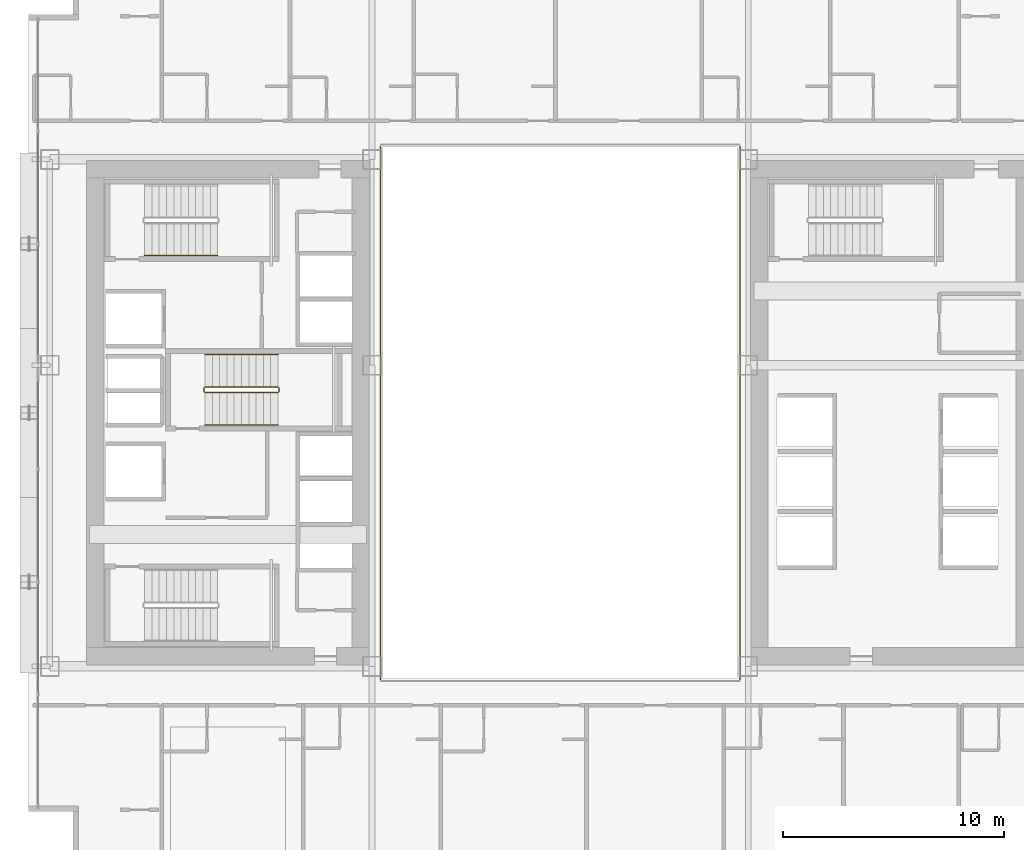
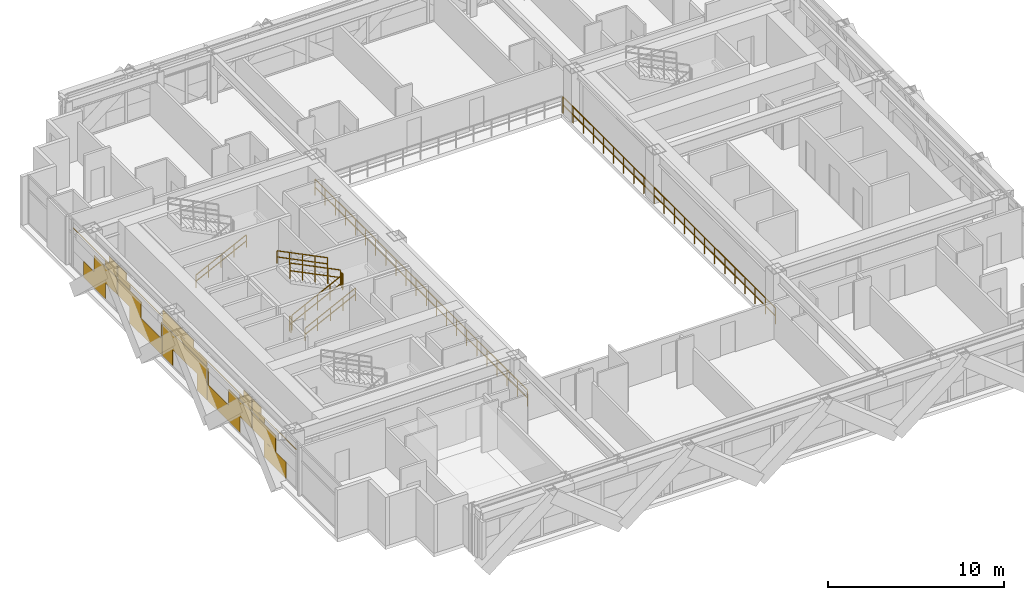
# One storey, part 33 of 35: 9 railings, 1 covering.
"""IFC4 building model written with IfcOpenShell, lengths in metres."""

import ifcopenshell
import ifcopenshell.guid

model = None  # the IFC model being written
_history = None  # IfcOwnerHistory: only IFC2X3 demands one
_inside = {}  # id of a spatial element -> (the spatial element, [elements in it])
_under = {}  # id of a project, library or spatial element -> (it, [spatial elements below it])
_declared = {}  # id of a project -> (the project, [libraries it declares])
_typed = {}  # id of a type object -> (the type object, [elements of that type])
_made_of = {}  # id of a material, layer set ... -> (it, [elements and type objects made of it])


def new_model(schema):
    """Start an empty IFC model of exactly this schema.

    Asked for "IFC4X3", IfcOpenShell would pick the latest addendum, in which some entities
    have other attributes; the version numbers below select the first issue.
    IFC2X3 requires an IfcOwnerHistory on every rooted entity: one is made here for all.
    """
    global model, _history
    if schema == "IFC4X3":
        model = ifcopenshell.file(schema_version=(4, 3, 0, 0))
    else:
        model = ifcopenshell.file(schema=schema)
    _inside.clear()
    _under.clear()
    _declared.clear()
    _typed.clear()
    _made_of.clear()
    _history = None
    if model.schema == "IFC2X3":
        org = make("IfcOrganization", Name="unknown")
        user = make(
            "IfcPersonAndOrganization",
            ThePerson=make("IfcPerson", FamilyName="unknown"),
            TheOrganization=org,
        )
        app = make(
            "IfcApplication",
            ApplicationDeveloper=org,
            Version="unknown",
            ApplicationFullName="unknown",
            ApplicationIdentifier="unknown",
        )
        _history = make(
            "IfcOwnerHistory",
            OwningUser=user,
            OwningApplication=app,
            ChangeAction="ADDED",
            CreationDate=0,
        )
    return model


def make(cls, **values):
    """One entity of the class cls with the attributes given. An attribute that is None is left unset."""
    return model.create_entity(
        cls, **{name: value for name, value in values.items() if value is not None}
    )


def rooted(cls, **values):
    """An entity with a GlobalId (a new one), such as an element, a storey or a relation."""
    return make(cls, GlobalId=ifcopenshell.guid.new(), OwnerHistory=_history, **values)


def si_unit(unit_type, name, prefix=None):
    """IfcSIUnit, for example si_unit("LENGTHUNIT", "METRE", prefix="MILLI")."""
    return make("IfcSIUnit", UnitType=unit_type, Prefix=prefix, Name=name)


def assignment(units):
    """IfcUnitAssignment: the units of a project."""
    return None if units is None else make("IfcUnitAssignment", Units=units)


def point(xyz):
    """IfcCartesianPoint."""
    return None if xyz is None else make("IfcCartesianPoint", Coordinates=xyz)


def direction(xyz):
    """IfcDirection."""
    return None if xyz is None else make("IfcDirection", DirectionRatios=xyz)


def frame(location, z_axis=None, x_axis=None):
    """IfcAxis2Placement3D, a coordinate frame: its origin and axes. An axis left out is left unset."""
    return make(
        "IfcAxis2Placement3D",
        Location=point(location),
        Axis=direction(z_axis),
        RefDirection=direction(x_axis),
    )


def frame_2d(location, x_axis=None):
    """IfcAxis2Placement2D, a coordinate frame in the plane: its origin and x axis."""
    return make(
        "IfcAxis2Placement2D", Location=point(location), RefDirection=direction(x_axis)
    )


def origin():
    """The frame at (0, 0, 0) with its axes left unset."""
    return frame((0.0, 0.0, 0.0))


def origin_2d():
    """The frame at (0, 0) in the plane with its x axis left unset."""
    return frame_2d((0.0, 0.0))


def place(relative_to, where):
    """IfcLocalPlacement: puts the frame where relative to a parent placement (None: the world)."""
    return make(
        "IfcLocalPlacement", PlacementRelTo=relative_to, RelativePlacement=where
    )


def context(
    kind, dimensions, precision=None, world=None, true_north=None, identifier=None
):
    """IfcGeometricRepresentationContext, for example the 3D "Model" context."""
    return make(
        "IfcGeometricRepresentationContext",
        ContextIdentifier=identifier,
        ContextType=kind,
        CoordinateSpaceDimension=dimensions,
        Precision=precision,
        WorldCoordinateSystem=world,
        TrueNorth=true_north,
    )


def subcontext(parent, identifier, kind, view, scale=None):
    """IfcGeometricRepresentationSubContext, for example "Body" below "Model"."""
    return make(
        "IfcGeometricRepresentationSubContext",
        ContextIdentifier=identifier,
        ContextType=kind,
        ParentContext=parent,
        TargetScale=scale,
        TargetView=view,
    )


def project(units=None, contexts=None):
    """IfcProject with its units and contexts."""
    return rooted(
        "IfcProject",
        Name="project",
        RepresentationContexts=contexts,
        UnitsInContext=assignment(units),
    )


def spatial(cls, under=None, at=None, **own):
    """A site, building, storey or space (cls), placed at a placement, below another one or the project."""
    s = rooted(cls, ObjectPlacement=at, **own)
    if under is not None:
        _under.setdefault(under.id(), (under, []))[1].append(s)
    return s


def profile(cls, at=None, kind="AREA", **sizes):
    """A parametric profile (cls). Its sizes go by their IFC names, for example OverallWidth=200.0."""
    return make(cls, ProfileType=kind, Position=at, **sizes)


def rectangle(**sizes):
    """IfcRectangleProfileDef."""
    return profile("IfcRectangleProfileDef", **sizes)


def extrude(swept, where, along, depth):
    """IfcExtrudedAreaSolid: the profile swept, set in the frame where, extruded along a direction by depth."""
    return make(
        "IfcExtrudedAreaSolid",
        SweptArea=swept,
        Position=where,
        ExtrudedDirection=direction(along),
        Depth=depth,
    )


def shape(context_of_items, identifier, shape_type, items):
    """IfcShapeRepresentation: the items that make up one representation, for example the "Body"."""
    return make(
        "IfcShapeRepresentation",
        ContextOfItems=context_of_items,
        RepresentationIdentifier=identifier,
        RepresentationType=shape_type,
        Items=items,
    )


def material(Name=None, Category=None):
    """IfcMaterial."""
    return make("IfcMaterial", Name=Name, Category=Category)


def layer(
    of_material, thickness, ventilated=None, Name=None, Category=None, Priority=None
):
    """IfcMaterialLayer: one layer of a wall or slab, of a material (None: an air gap)."""
    return make(
        "IfcMaterialLayer",
        Material=of_material,
        LayerThickness=thickness,
        IsVentilated=ventilated,
        Name=Name,
        Category=Category,
        Priority=Priority,
    )


def layer_set(layers, Name=None):
    """IfcMaterialLayerSet."""
    return make("IfcMaterialLayerSet", MaterialLayers=layers, LayerSetName=Name)


def made_of(thing, what):
    """Note that an element or type object is made of a material, layer set ...; save() writes the relation."""
    if what is not None:
        _made_of.setdefault(what.id(), (what, []))[1].append(thing)
    return thing


def type_object(cls, material=None, **own):
    """A type object (cls), such as IfcWallType, which elements share."""
    return made_of(rooted(cls, **own), material)


def element(
    cls,
    number,
    at=None,
    inside=None,
    cuts=None,
    type_object=None,
    material=None,
    context=None,
    identifier="Body",
    shape_type=None,
    held_by="IfcProductDefinitionShape",
    body=None,
    shapes=None,
    **own,
):
    """One element of the class cls, such as IfcWall. Its Tag is "e" and its number.

    at: its placement. inside: the storey or other place that contains it. cuts: it is an
    opening in that element (IfcRelVoidsElement). A single representation is given by context,
    identifier, shape_type and body (its items); several are given by shapes. held_by: the class
    of the entity that holds the representations. save() writes the other relations.
    """
    e = rooted(cls, Tag="e%d" % number, ObjectPlacement=at, **own)
    if body is not None:
        shapes = [shape(context, identifier, shape_type, body)]
    if shapes is not None:
        e.Representation = make(held_by, Representations=shapes)
    if inside is not None:
        _inside.setdefault(inside.id(), (inside, []))[1].append(e)
    if cuts is not None:
        rooted(
            "IfcRelVoidsElement", RelatingBuildingElement=cuts, RelatedOpeningElement=e
        )
    if type_object is not None:
        _typed.setdefault(type_object.id(), (type_object, []))[1].append(e)
    return made_of(e, material)


def aggregate(whole, parts):
    """IfcRelAggregates: a whole, such as a stair, and the parts it consists of."""
    return rooted("IfcRelAggregates", RelatingObject=whole, RelatedObjects=parts)


def save(model, path):
    """Write the relations noted so far, then the file.

    IfcRelAggregates (storeys below a building ...), IfcRelContainedInSpatialStructure (elements
    in a storey), IfcRelDefinesByType, IfcRelAssociatesMaterial and IfcRelDeclares: one each for
    every whole, place, type object, material and project.
    """
    for whole, parts in _under.values():
        aggregate(whole, parts)
    for where, things in _inside.values():
        rooted(
            "IfcRelContainedInSpatialStructure",
            RelatedElements=things,
            RelatingStructure=where,
        )
    for kind, things in _typed.values():
        rooted("IfcRelDefinesByType", RelatedObjects=things, RelatingType=kind)
    for what, things in _made_of.values():
        rooted("IfcRelAssociatesMaterial", RelatedObjects=things, RelatingMaterial=what)
    for by, libraries in _declared.values():
        rooted("IfcRelDeclares", RelatingContext=by, RelatedDefinitions=libraries)
    model.write(path)


model = new_model("IFC4")

# Units and contexts
model_context = context("Model", 3, precision=1e-05, world=origin(), true_north=direction((0.0, 1.0)))
body_context = subcontext(model_context, "Body", "Model", "MODEL_VIEW")
ifc_project = project(units=[si_unit("LENGTHUNIT", "METRE"), si_unit("AREAUNIT", "SQUARE_METRE"), si_unit("VOLUMEUNIT", "CUBIC_METRE"), si_unit("PLANEANGLEUNIT", "RADIAN"), si_unit("MASSUNIT", "GRAM", prefix="KILO")], contexts=[model_context])

# Site, building, storey
site_placement = place(None, origin())
site = spatial("IfcSite", under=ifc_project, at=site_placement, CompositionType="ELEMENT")
building_placement = place(site_placement, origin())
building = spatial("IfcBuilding", under=site, at=building_placement, Name="Ocotamira Hotel", CompositionType="ELEMENT")
storey_placement = place(building_placement, frame((0.0, 0.0, 49.199951171875)))
storey = spatial("IfcBuildingStorey", under=building, at=storey_placement, Name="L11", CompositionType="ELEMENT", Elevation=49.199951171875)

# Covering
ifc_material_1 = material(Name="Insulated pale-metal aluminium spandrel panel", Category="aluminium")
ifc_layer = layer(ifc_material_1, 0.044921875)
ifc_layer_set = layer_set([ifc_layer], Name="Insulated pale-metal aluminium spandrel panel")
covering_type = type_object("IfcCoveringType", Name="COV-INFILL-45", PredefinedType="CLADDING", material=ifc_layer_set)
covering_placement = place(storey_placement, origin())
element("IfcCovering", 1, at=covering_placement, inside=storey, type_object=covering_type, Name="L11 Curtain Wall Infill CW-2 CW-L11-W", PredefinedType="CLADDING", context=body_context, shape_type="SweptSolid", body=[
    extrude(rectangle(XDim=2.49658203125, YDim=0.044921875, at=origin_2d()), frame((8.419921875, 15.752685546875, 0.07568359375), z_axis=(0.0, 0.0, 1.0), x_axis=(0.0, 1.0, 0.0)), (0.0, 0.0, 1.0), 1.11767578125),
    extrude(rectangle(XDim=2.640625, YDim=0.044921875, at=origin_2d()), frame((8.419921875, 17.010498046875, 1.1943359375), z_axis=(0.0, 0.0, 1.0), x_axis=(0.0, 1.0, 0.0)), (0.0, 0.0, 1.0), 1.117919921875),
    extrude(rectangle(XDim=5.004638671875, YDim=0.044921875, at=origin_2d()), frame((8.419921875, 15.82861328125, 2.756103515625), z_axis=(0.0, 0.0, 1.0), x_axis=(0.0, 1.0, 0.0)), (0.0, 0.0, 1.0), 0.033203125),
    extrude(rectangle(XDim=1.375, YDim=0.044921875, at=origin_2d()), frame((8.419921875, 17.643310546875, 2.38818359375), z_axis=(0.0, 0.0, 1.0), x_axis=(0.0, 1.0, 0.0)), (0.0, 0.0, 1.0), 0.366943359375),
    extrude(rectangle(XDim=0.948486328125, YDim=0.044921875, at=origin_2d()), frame((8.419921875, 17.856689453125, 2.79052734375), z_axis=(0.0, 0.0, 1.0), x_axis=(0.0, 1.0, 0.0)), (0.0, 0.0, 1.0), 0.484130859375),
    extrude(rectangle(XDim=2.631103515625, YDim=0.044921875, at=origin_2d()), frame((8.419921875, 19.727294921875, 1.1943359375), z_axis=(0.0, 0.0, 1.0), x_axis=(0.0, 1.0, 0.0)), (0.0, 0.0, 1.0), 1.117919921875),
    extrude(rectangle(XDim=3.684326171875, YDim=0.044921875, at=origin_2d()), frame((8.419921875, 21.574462890625, 0.07568359375), z_axis=(0.0, 0.0, 1.0), x_axis=(0.0, 1.0, 0.0)), (0.0, 0.0, 1.0), 1.11767578125),
    extrude(rectangle(XDim=0.093017578125, YDim=0.044921875, at=origin_2d()), frame((8.419921875, 23.3701171875, 1.1943359375), z_axis=(0.0, 0.0, 1.0), x_axis=(0.0, 1.0, 0.0)), (0.0, 0.0, 1.0), 1.117919921875),
    extrude(rectangle(XDim=1.365478515625, YDim=0.044921875, at=origin_2d()), frame((8.419921875, 19.094482421875, 2.38818359375), z_axis=(0.0, 0.0, 1.0), x_axis=(0.0, 1.0, 0.0)), (0.0, 0.0, 1.0), 0.366943359375),
    extrude(rectangle(XDim=5.004638671875, YDim=0.044921875, at=origin_2d()), frame((8.419921875, 20.914306640625, 2.756103515625), z_axis=(0.0, 0.0, 1.0), x_axis=(0.0, 1.0, 0.0)), (0.0, 0.0, 1.0), 0.033203125),
    extrude(rectangle(XDim=0.93896484375, YDim=0.044921875, at=origin_2d()), frame((8.419921875, 18.88134765625, 2.79052734375), z_axis=(0.0, 0.0, 1.0), x_axis=(0.0, 1.0, 0.0)), (0.0, 0.0, 1.0), 0.484130859375),
    extrude(rectangle(XDim=1.13671875, YDim=0.044921875, at=origin_2d()), frame((8.419921875, 24.06591796875, 0.07568359375), z_axis=(0.0, 0.0, 1.0), x_axis=(0.0, 1.0, 0.0)), (0.0, 0.0, 1.0), 1.11767578125),
    extrude(rectangle(XDim=5.004638671875, YDim=0.044921875, at=origin_2d()), frame((8.419921875, 26.0, 1.1943359375), z_axis=(0.0, 0.0, 1.0), x_axis=(0.0, 1.0, 0.0)), (0.0, 0.0, 1.0), 1.117919921875),
    extrude(rectangle(XDim=1.13671875, YDim=0.044921875, at=origin_2d()), frame((8.419921875, 27.93408203125, 0.07568359375), z_axis=(0.0, 0.0, 1.0), x_axis=(0.0, 1.0, 0.0)), (0.0, 0.0, 1.0), 1.11767578125),
    extrude(rectangle(XDim=5.004638671875, YDim=0.044921875, at=origin_2d()), frame((8.419921875, 26.0, 2.387939453125), z_axis=(0.0, 0.0, 1.0), x_axis=(0.0, 1.0, 0.0)), (0.0, 0.0, 1.0), 0.4013671875),
    extrude(rectangle(XDim=3.486572265625, YDim=0.044921875, at=origin_2d()), frame((8.419921875, 26.759033203125, 2.79052734375), z_axis=(0.0, 0.0, 1.0), x_axis=(0.0, 1.0, 0.0)), (0.0, 0.0, 1.0), 0.484130859375),
    extrude(rectangle(XDim=3.684326171875, YDim=0.044921875, at=origin_2d()), frame((8.419921875, 30.425537109375, 0.07568359375), z_axis=(0.0, 0.0, 1.0), x_axis=(0.0, 1.0, 0.0)), (0.0, 0.0, 1.0), 1.11767578125),
    extrude(rectangle(XDim=0.093017578125, YDim=0.044921875, at=origin_2d()), frame((8.419921875, 28.6298828125, 1.1943359375), z_axis=(0.0, 0.0, 1.0), x_axis=(0.0, 1.0, 0.0)), (0.0, 0.0, 1.0), 1.117919921875),
    extrude(rectangle(XDim=2.631103515625, YDim=0.044921875, at=origin_2d()), frame((8.419921875, 32.272705078125, 1.1943359375), z_axis=(0.0, 0.0, 1.0), x_axis=(0.0, 1.0, 0.0)), (0.0, 0.0, 1.0), 1.117919921875),
    extrude(rectangle(XDim=5.004638671875, YDim=0.044921875, at=origin_2d()), frame((8.419921875, 31.085693359375, 2.756103515625), z_axis=(0.0, 0.0, 1.0), x_axis=(0.0, 1.0, 0.0)), (0.0, 0.0, 1.0), 0.033203125),
    extrude(rectangle(XDim=1.365478515625, YDim=0.044921875, at=origin_2d()), frame((8.419921875, 32.905517578125, 2.38818359375), z_axis=(0.0, 0.0, 1.0), x_axis=(0.0, 1.0, 0.0)), (0.0, 0.0, 1.0), 0.366943359375),
    extrude(rectangle(XDim=0.93896484375, YDim=0.044921875, at=origin_2d()), frame((8.419921875, 33.11865234375, 2.79052734375), z_axis=(0.0, 0.0, 1.0), x_axis=(0.0, 1.0, 0.0)), (0.0, 0.0, 1.0), 0.484130859375),
    extrude(rectangle(XDim=2.640625, YDim=0.044921875, at=origin_2d()), frame((8.419921875, 34.989501953125, 1.1943359375), z_axis=(0.0, 0.0, 1.0), x_axis=(0.0, 1.0, 0.0)), (0.0, 0.0, 1.0), 1.117919921875),
    extrude(rectangle(XDim=2.49658203125, YDim=0.044921875, at=origin_2d()), frame((8.419921875, 36.247314453125, 0.07568359375), z_axis=(0.0, 0.0, 1.0), x_axis=(0.0, 1.0, 0.0)), (0.0, 0.0, 1.0), 1.11767578125),
    extrude(rectangle(XDim=1.375, YDim=0.044921875, at=origin_2d()), frame((8.419921875, 34.356689453125, 2.38818359375), z_axis=(0.0, 0.0, 1.0), x_axis=(0.0, 1.0, 0.0)), (0.0, 0.0, 1.0), 0.366943359375),
    extrude(rectangle(XDim=5.004638671875, YDim=0.044921875, at=origin_2d()), frame((8.419921875, 36.17138671875, 2.756103515625), z_axis=(0.0, 0.0, 1.0), x_axis=(0.0, 1.0, 0.0)), (0.0, 0.0, 1.0), 0.033203125),
    extrude(rectangle(XDim=0.948486328125, YDim=0.044921875, at=origin_2d()), frame((8.419921875, 34.143310546875, 2.79052734375), z_axis=(0.0, 0.0, 1.0), x_axis=(0.0, 1.0, 0.0)), (0.0, 0.0, 1.0), 0.484130859375),
])

# Railings
ifc_material_2 = material(Name="Painted steel stair guardrail", Category="steel")
railing_type_1 = type_object("IfcRailingType", Name="RL-EDGE-1150", PredefinedType="GUARDRAIL", material=ifc_material_2)
railing_1_placement = place(storey_placement, frame((40.1201171875, 13.9599609375, 0.0)))
element("IfcRailing", 2, at=railing_1_placement, inside=storey, type_object=railing_type_1, Name="L11 Central Atrium Edge Guardrail E", PredefinedType="GUARDRAIL", context=body_context, shape_type="SweptSolid", body=[
    extrude(rectangle(XDim=0.048095703125, YDim=0.048095703125, at=origin_2d()), frame((0.0, 0.0, 1.1259765625), z_axis=(0.0, 1.0, 0.0), x_axis=(-1.0, 0.0, 0.0)), (0.0, 0.0, 1.0), 24.080078125),
    extrude(rectangle(XDim=0.048095703125, YDim=0.048095703125, at=origin_2d()), frame((0.0, 0.0, 0.574951171875), z_axis=(0.0, 1.0, 0.0), x_axis=(-1.0, 0.0, 0.0)), (0.0, 0.0, 1.0), 24.080078125),
    extrude(rectangle(XDim=0.0419921875, YDim=0.0419921875, at=origin_2d()), origin(), (0.0, 0.0, 1.0), 1.101806640625),
    extrude(rectangle(XDim=0.0419921875, YDim=0.0419921875, at=origin_2d()), frame((0.0, 1.146728515625, 0.0)), (0.0, 0.0, 1.0), 1.101806640625),
    extrude(rectangle(XDim=0.0419921875, YDim=0.0419921875, at=origin_2d()), frame((0.0, 2.29345703125, 0.0)), (0.0, 0.0, 1.0), 1.101806640625),
    extrude(rectangle(XDim=0.0419921875, YDim=0.0419921875, at=origin_2d()), frame((0.0, 3.43994140625, 0.0)), (0.0, 0.0, 1.0), 1.101806640625),
    extrude(rectangle(XDim=0.0419921875, YDim=0.0419921875, at=origin_2d()), frame((0.0, 4.586669921875, 0.0)), (0.0, 0.0, 1.0), 1.101806640625),
    extrude(rectangle(XDim=0.0419921875, YDim=0.0419921875, at=origin_2d()), frame((0.0, 5.7333984375, 0.0)), (0.0, 0.0, 1.0), 1.101806640625),
    extrude(rectangle(XDim=0.0419921875, YDim=0.0419921875, at=origin_2d()), frame((0.0, 6.880126953125, 0.0)), (0.0, 0.0, 1.0), 1.101806640625),
    extrude(rectangle(XDim=0.0419921875, YDim=0.0419921875, at=origin_2d()), frame((0.0, 8.026611328125, 0.0)), (0.0, 0.0, 1.0), 1.101806640625),
    extrude(rectangle(XDim=0.0419921875, YDim=0.0419921875, at=origin_2d()), frame((0.0, 9.17333984375, 0.0)), (0.0, 0.0, 1.0), 1.101806640625),
    extrude(rectangle(XDim=0.0419921875, YDim=0.0419921875, at=origin_2d()), frame((0.0, 10.320068359375, 0.0)), (0.0, 0.0, 1.0), 1.101806640625),
    extrude(rectangle(XDim=0.0419921875, YDim=0.0419921875, at=origin_2d()), frame((0.0, 11.466796875, 0.0)), (0.0, 0.0, 1.0), 1.101806640625),
    extrude(rectangle(XDim=0.0419921875, YDim=0.0419921875, at=origin_2d()), frame((0.0, 12.61328125, 0.0)), (0.0, 0.0, 1.0), 1.101806640625),
    extrude(rectangle(XDim=0.0419921875, YDim=0.0419921875, at=origin_2d()), frame((0.0, 13.760009765625, 0.0)), (0.0, 0.0, 1.0), 1.101806640625),
    extrude(rectangle(XDim=0.0419921875, YDim=0.0419921875, at=origin_2d()), frame((0.0, 14.90673828125, 0.0)), (0.0, 0.0, 1.0), 1.101806640625),
    extrude(rectangle(XDim=0.0419921875, YDim=0.0419921875, at=origin_2d()), frame((0.0, 16.053466796875, 0.0)), (0.0, 0.0, 1.0), 1.101806640625),
    extrude(rectangle(XDim=0.0419921875, YDim=0.0419921875, at=origin_2d()), frame((0.0, 17.199951171875, 0.0)), (0.0, 0.0, 1.0), 1.101806640625),
    extrude(rectangle(XDim=0.0419921875, YDim=0.0419921875, at=origin_2d()), frame((0.0, 18.3466796875, 0.0)), (0.0, 0.0, 1.0), 1.101806640625),
    extrude(rectangle(XDim=0.0419921875, YDim=0.0419921875, at=origin_2d()), frame((0.0, 19.493408203125, 0.0)), (0.0, 0.0, 1.0), 1.101806640625),
    extrude(rectangle(XDim=0.0419921875, YDim=0.0419921875, at=origin_2d()), frame((0.0, 20.64013671875, 0.0)), (0.0, 0.0, 1.0), 1.101806640625),
    extrude(rectangle(XDim=0.0419921875, YDim=0.0419921875, at=origin_2d()), frame((0.0, 21.78662109375, 0.0)), (0.0, 0.0, 1.0), 1.101806640625),
    extrude(rectangle(XDim=0.0419921875, YDim=0.0419921875, at=origin_2d()), frame((0.0, 22.933349609375, 0.0)), (0.0, 0.0, 1.0), 1.101806640625),
    extrude(rectangle(XDim=0.0419921875, YDim=0.0419921875, at=origin_2d()), frame((0.0, 24.080078125, 0.0)), (0.0, 0.0, 1.0), 1.101806640625),
])
railing_2_placement = place(storey_placement, frame((23.8798828125, 38.0400390625, 0.0)))
element("IfcRailing", 3, at=railing_2_placement, inside=storey, type_object=railing_type_1, Name="L11 Central Atrium Edge Guardrail W", PredefinedType="GUARDRAIL", context=body_context, shape_type="SweptSolid", body=[
    extrude(rectangle(XDim=0.048095703125, YDim=0.048095703125, at=origin_2d()), frame((0.0, 0.0, 1.1259765625), z_axis=(0.0, -1.0, 0.0), x_axis=(1.0, 0.0, 0.0)), (0.0, 0.0, 1.0), 24.080078125),
    extrude(rectangle(XDim=0.048095703125, YDim=0.048095703125, at=origin_2d()), frame((0.0, 0.0, 0.574951171875), z_axis=(0.0, -1.0, 0.0), x_axis=(1.0, 0.0, 0.0)), (0.0, 0.0, 1.0), 24.080078125),
    extrude(rectangle(XDim=0.0419921875, YDim=0.0419921875, at=origin_2d()), origin(), (0.0, 0.0, 1.0), 1.101806640625),
    extrude(rectangle(XDim=0.0419921875, YDim=0.0419921875, at=origin_2d()), frame((0.0, -1.146728515625, 0.0)), (0.0, 0.0, 1.0), 1.101806640625),
    extrude(rectangle(XDim=0.0419921875, YDim=0.0419921875, at=origin_2d()), frame((0.0, -2.29345703125, 0.0)), (0.0, 0.0, 1.0), 1.101806640625),
    extrude(rectangle(XDim=0.0419921875, YDim=0.0419921875, at=origin_2d()), frame((0.0, -3.43994140625, 0.0)), (0.0, 0.0, 1.0), 1.101806640625),
    extrude(rectangle(XDim=0.0419921875, YDim=0.0419921875, at=origin_2d()), frame((0.0, -4.586669921875, 0.0)), (0.0, 0.0, 1.0), 1.101806640625),
    extrude(rectangle(XDim=0.0419921875, YDim=0.0419921875, at=origin_2d()), frame((0.0, -5.7333984375, 0.0)), (0.0, 0.0, 1.0), 1.101806640625),
    extrude(rectangle(XDim=0.0419921875, YDim=0.0419921875, at=origin_2d()), frame((0.0, -6.880126953125, 0.0)), (0.0, 0.0, 1.0), 1.101806640625),
    extrude(rectangle(XDim=0.0419921875, YDim=0.0419921875, at=origin_2d()), frame((0.0, -8.026611328125, 0.0)), (0.0, 0.0, 1.0), 1.101806640625),
    extrude(rectangle(XDim=0.0419921875, YDim=0.0419921875, at=origin_2d()), frame((0.0, -9.17333984375, 0.0)), (0.0, 0.0, 1.0), 1.101806640625),
    extrude(rectangle(XDim=0.0419921875, YDim=0.0419921875, at=origin_2d()), frame((0.0, -10.320068359375, 0.0)), (0.0, 0.0, 1.0), 1.101806640625),
    extrude(rectangle(XDim=0.0419921875, YDim=0.0419921875, at=origin_2d()), frame((0.0, -11.466796875, 0.0)), (0.0, 0.0, 1.0), 1.101806640625),
    extrude(rectangle(XDim=0.0419921875, YDim=0.0419921875, at=origin_2d()), frame((0.0, -12.61328125, 0.0)), (0.0, 0.0, 1.0), 1.101806640625),
    extrude(rectangle(XDim=0.0419921875, YDim=0.0419921875, at=origin_2d()), frame((0.0, -13.760009765625, 0.0)), (0.0, 0.0, 1.0), 1.101806640625),
    extrude(rectangle(XDim=0.0419921875, YDim=0.0419921875, at=origin_2d()), frame((0.0, -14.90673828125, 0.0)), (0.0, 0.0, 1.0), 1.101806640625),
    extrude(rectangle(XDim=0.0419921875, YDim=0.0419921875, at=origin_2d()), frame((0.0, -16.053466796875, 0.0)), (0.0, 0.0, 1.0), 1.101806640625),
    extrude(rectangle(XDim=0.0419921875, YDim=0.0419921875, at=origin_2d()), frame((0.0, -17.199951171875, 0.0)), (0.0, 0.0, 1.0), 1.101806640625),
    extrude(rectangle(XDim=0.0419921875, YDim=0.0419921875, at=origin_2d()), frame((0.0, -18.3466796875, 0.0)), (0.0, 0.0, 1.0), 1.101806640625),
    extrude(rectangle(XDim=0.0419921875, YDim=0.0419921875, at=origin_2d()), frame((0.0, -19.493408203125, 0.0)), (0.0, 0.0, 1.0), 1.101806640625),
    extrude(rectangle(XDim=0.0419921875, YDim=0.0419921875, at=origin_2d()), frame((0.0, -20.64013671875, 0.0)), (0.0, 0.0, 1.0), 1.101806640625),
    extrude(rectangle(XDim=0.0419921875, YDim=0.0419921875, at=origin_2d()), frame((0.0, -21.78662109375, 0.0)), (0.0, 0.0, 1.0), 1.101806640625),
    extrude(rectangle(XDim=0.0419921875, YDim=0.0419921875, at=origin_2d()), frame((0.0, -22.933349609375, 0.0)), (0.0, 0.0, 1.0), 1.101806640625),
    extrude(rectangle(XDim=0.0419921875, YDim=0.0419921875, at=origin_2d()), frame((0.0, -24.080078125, 0.0)), (0.0, 0.0, 1.0), 1.101806640625),
])
ifc_material_3 = material(Name="Brushed stainless steel handrail", Category="steel")
railing_type_2 = type_object("IfcRailingType", Name="RL-HAND-900", PredefinedType="HANDRAIL", material=ifc_material_3)
for number, where, name in (
    (4, (13.22998046875, 33.10009765625, 0.327392578125), "L11 ST-2 stair handrail 1"),
    (5, (15.9599609375, 25.449951171875, 0.327392578125), "L11 ST-3 stair handrail 1"),
):
    element("IfcRailing", number, at=place(storey_placement, frame(where)), inside=storey, type_object=railing_type_2, Name=name, PredefinedType="HANDRAIL", context=body_context, shape_type="SweptSolid", body=[
        extrude(rectangle(XDim=0.048095703125, YDim=0.048095703125, at=origin_2d()), frame((0.0, 0.0, 0.8759765625), z_axis=(0.895920123917, 0.0, 0.444215186098), x_axis=(0.0, 1.0, 0.0)), (0.0, 0.0, 1.0), 3.683349609375),
        extrude(rectangle(XDim=0.048095703125, YDim=0.048095703125, at=origin_2d()), frame((0.0, 0.0, 0.449951171875), z_axis=(0.895920123917, 0.0, 0.444215186098), x_axis=(0.0, 1.0, 0.0)), (0.0, 0.0, 1.0), 3.683349609375),
        extrude(rectangle(XDim=0.0419921875, YDim=0.0419921875, at=origin_2d()), origin(), (0.0, 0.0, 1.0), 0.851806640625),
        extrude(rectangle(XDim=0.0419921875, YDim=0.0419921875, at=origin_2d()), frame((0.824951171875, 0.0, 0.4091796875)), (0.0, 0.0, 1.0), 0.851806640625),
        extrude(rectangle(XDim=0.0419921875, YDim=0.0419921875, at=origin_2d()), frame((1.64990234375, 0.0, 0.818115234375)), (0.0, 0.0, 1.0), 0.851806640625),
        extrude(rectangle(XDim=0.0419921875, YDim=0.0419921875, at=origin_2d()), frame((2.47509765625, 0.0, 1.22705078125)), (0.0, 0.0, 1.0), 0.851806640625),
        extrude(rectangle(XDim=0.0419921875, YDim=0.0419921875, at=origin_2d()), frame((3.300048828125, 0.0, 1.63623046875)), (0.0, 0.0, 1.0), 0.851806640625),
    ])
railing_3_placement = place(storey_placement, frame((19.260009765625, 28.6298828125, 2.12744140625)))
element("IfcRailing", 6, at=railing_3_placement, inside=storey, type_object=railing_type_2, Name="L11 ST-3 stair handrail 2", PredefinedType="HANDRAIL", context=body_context, shape_type="SweptSolid", body=[
    extrude(rectangle(XDim=0.048095703125, YDim=0.048095703125, at=origin_2d()), frame((0.0, 0.0, 0.8759765625), z_axis=(-0.895920123917, 0.0, 0.444215186098), x_axis=(0.0, -1.0, 0.0)), (0.0, 0.0, 1.0), 3.683349609375),
    extrude(rectangle(XDim=0.048095703125, YDim=0.048095703125, at=origin_2d()), frame((0.0, 0.0, 0.449951171875), z_axis=(-0.895920123917, 0.0, 0.444215186098), x_axis=(0.0, -1.0, 0.0)), (0.0, 0.0, 1.0), 3.683349609375),
    extrude(rectangle(XDim=0.0419921875, YDim=0.0419921875, at=origin_2d()), origin(), (0.0, 0.0, 1.0), 0.851806640625),
    extrude(rectangle(XDim=0.0419921875, YDim=0.0419921875, at=origin_2d()), frame((-0.824951171875, 0.0, 0.4091796875)), (0.0, 0.0, 1.0), 0.851806640625),
    extrude(rectangle(XDim=0.0419921875, YDim=0.0419921875, at=origin_2d()), frame((-1.64990234375, 0.0, 0.818115234375)), (0.0, 0.0, 1.0), 0.851806640625),
    extrude(rectangle(XDim=0.0419921875, YDim=0.0419921875, at=origin_2d()), frame((-2.47509765625, 0.0, 1.22705078125)), (0.0, 0.0, 1.0), 0.851806640625),
    extrude(rectangle(XDim=0.0419921875, YDim=0.0419921875, at=origin_2d()), frame((-3.300048828125, 0.0, 1.63623046875)), (0.0, 0.0, 1.0), 0.851806640625),
])
railing_type_3 = type_object("IfcRailingType", Name="RL-STAIR-1100", PredefinedType="GUARDRAIL", material=ifc_material_2)
railing_4_placement = place(storey_placement, frame((15.9599609375, 26.909912109375, 0.16357421875)))
element("IfcRailing", 7, at=railing_4_placement, inside=storey, type_object=railing_type_3, Name="L11 ST-3 stair guard 1", PredefinedType="GUARDRAIL", context=body_context, shape_type="SweptSolid", body=[
    extrude(rectangle(XDim=0.048095703125, YDim=0.048095703125, at=origin_2d()), frame((0.0, 0.0, 1.076171875), z_axis=(0.895893744519, 0.0, 0.4442683857), x_axis=(0.0, 1.0, 0.0)), (0.0, 0.0, 1.0), 3.68359375),
    extrude(rectangle(XDim=0.048095703125, YDim=0.048095703125, at=origin_2d()), frame((0.0, 0.0, 0.550048828125), z_axis=(0.895893744519, 0.0, 0.4442683857), x_axis=(0.0, 1.0, 0.0)), (0.0, 0.0, 1.0), 3.68359375),
    extrude(rectangle(XDim=0.0419921875, YDim=0.0419921875, at=origin_2d()), origin(), (0.0, 0.0, 1.0), 1.052001953125),
    extrude(rectangle(XDim=0.0419921875, YDim=0.0419921875, at=origin_2d()), frame((0.824951171875, 0.0, 0.4091796875)), (0.0, 0.0, 1.0), 1.052001953125),
    extrude(rectangle(XDim=0.0419921875, YDim=0.0419921875, at=origin_2d()), frame((1.64990234375, 0.0, 0.818359375)), (0.0, 0.0, 1.0), 1.052001953125),
    extrude(rectangle(XDim=0.0419921875, YDim=0.0419921875, at=origin_2d()), frame((2.47509765625, 0.0, 1.227294921875)), (0.0, 0.0, 1.0), 1.052001953125),
    extrude(rectangle(XDim=0.0419921875, YDim=0.0419921875, at=origin_2d()), frame((3.300048828125, 0.0, 1.636474609375)), (0.0, 0.0, 1.0), 1.052001953125),
])
railing_5_placement = place(storey_placement, frame((19.31005859375, 26.9599609375, 1.800048828125)))
element("IfcRailing", 8, at=railing_5_placement, inside=storey, type_object=railing_type_3, Name="L11 ST-3 stair guard 2", PredefinedType="GUARDRAIL", context=body_context, shape_type="SweptSolid", body=[
    extrude(rectangle(XDim=0.048095703125, YDim=0.048095703125, at=origin_2d()), frame((0.0, 0.0, 1.076171875), z_axis=(0.0, 1.0, 0.0), x_axis=(-1.0, 0.0, 0.0)), (0.0, 0.0, 1.0), 0.16015625),
    extrude(rectangle(XDim=0.048095703125, YDim=0.048095703125, at=origin_2d()), frame((0.0, 0.0, 0.550048828125), z_axis=(0.0, 1.0, 0.0), x_axis=(-1.0, 0.0, 0.0)), (0.0, 0.0, 1.0), 0.16015625),
    extrude(rectangle(XDim=0.0419921875, YDim=0.0419921875, at=origin_2d()), origin(), (0.0, 0.0, 1.0), 1.052001953125),
    extrude(rectangle(XDim=0.0419921875, YDim=0.0419921875, at=origin_2d()), frame((0.0, 0.16015625, 0.0)), (0.0, 0.0, 1.0), 1.052001953125),
])
railing_6_placement = place(storey_placement, frame((19.260009765625, 27.169921875, 1.963623046875)))
element("IfcRailing", 9, at=railing_6_placement, inside=storey, type_object=railing_type_3, Name="L11 ST-3 stair guard 3", PredefinedType="GUARDRAIL", context=body_context, shape_type="SweptSolid", body=[
    extrude(rectangle(XDim=0.048095703125, YDim=0.048095703125, at=origin_2d()), frame((0.0, 0.0, 1.076171875), z_axis=(-0.895893744519, 0.0, 0.4442683857), x_axis=(0.0, -1.0, 0.0)), (0.0, 0.0, 1.0), 3.68359375),
    extrude(rectangle(XDim=0.048095703125, YDim=0.048095703125, at=origin_2d()), frame((0.0, 0.0, 0.550048828125), z_axis=(-0.895893744519, 0.0, 0.4442683857), x_axis=(0.0, -1.0, 0.0)), (0.0, 0.0, 1.0), 3.68359375),
    extrude(rectangle(XDim=0.0419921875, YDim=0.0419921875, at=origin_2d()), origin(), (0.0, 0.0, 1.0), 1.052001953125),
    extrude(rectangle(XDim=0.0419921875, YDim=0.0419921875, at=origin_2d()), frame((-0.824951171875, 0.0, 0.4091796875)), (0.0, 0.0, 1.0), 1.052001953125),
    extrude(rectangle(XDim=0.0419921875, YDim=0.0419921875, at=origin_2d()), frame((-1.64990234375, 0.0, 0.818359375)), (0.0, 0.0, 1.0), 1.052001953125),
    extrude(rectangle(XDim=0.0419921875, YDim=0.0419921875, at=origin_2d()), frame((-2.47509765625, 0.0, 1.227294921875)), (0.0, 0.0, 1.0), 1.052001953125),
    extrude(rectangle(XDim=0.0419921875, YDim=0.0419921875, at=origin_2d()), frame((-3.300048828125, 0.0, 1.636474609375)), (0.0, 0.0, 1.0), 1.052001953125),
])
railing_7_placement = place(storey_placement, frame((15.909912109375, 26.9599609375, 0.0)))
element("IfcRailing", 10, at=railing_7_placement, inside=storey, type_object=railing_type_3, Name="L11 ST-3 stair guard 4", PredefinedType="GUARDRAIL", context=body_context, shape_type="SweptSolid", body=[
    extrude(rectangle(XDim=0.048095703125, YDim=0.048095703125, at=origin_2d()), frame((0.0, 0.0, 1.076171875), z_axis=(0.0, 1.0, 0.0), x_axis=(-1.0, 0.0, 0.0)), (0.0, 0.0, 1.0), 0.16015625),
    extrude(rectangle(XDim=0.048095703125, YDim=0.048095703125, at=origin_2d()), frame((0.0, 0.0, 0.550048828125), z_axis=(0.0, 1.0, 0.0), x_axis=(-1.0, 0.0, 0.0)), (0.0, 0.0, 1.0), 0.16015625),
    extrude(rectangle(XDim=0.0419921875, YDim=0.0419921875, at=origin_2d()), origin(), (0.0, 0.0, 1.0), 1.052001953125),
    extrude(rectangle(XDim=0.0419921875, YDim=0.0419921875, at=origin_2d()), frame((0.0, 0.16015625, 0.0)), (0.0, 0.0, 1.0), 1.052001953125),
])

save(model, "model.ifc")
